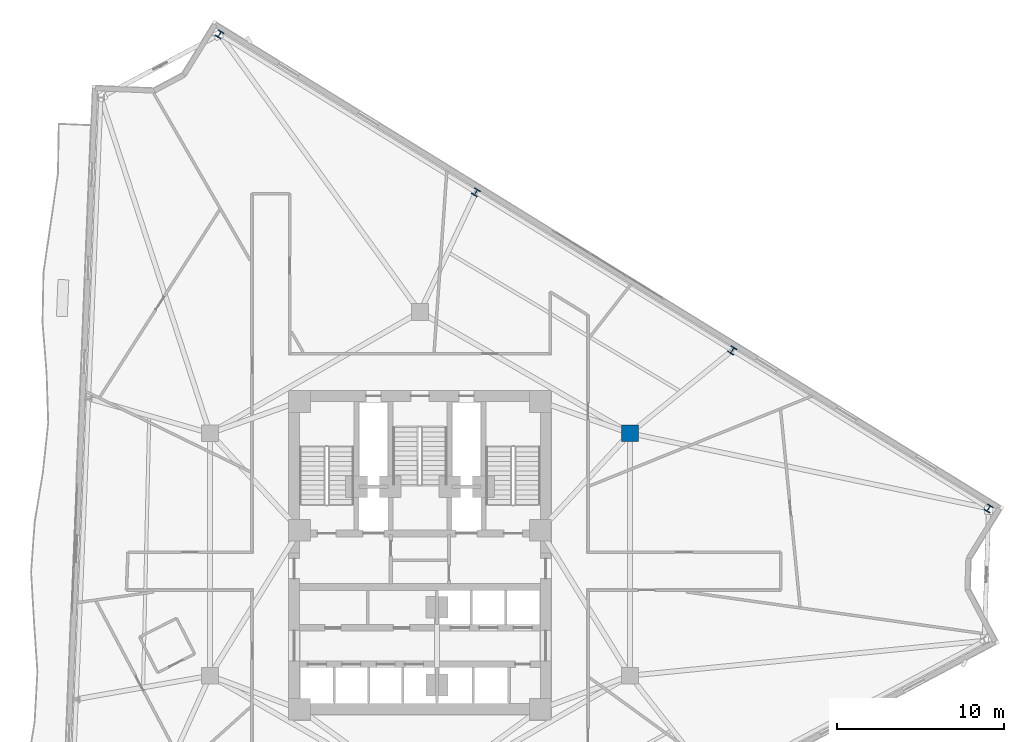
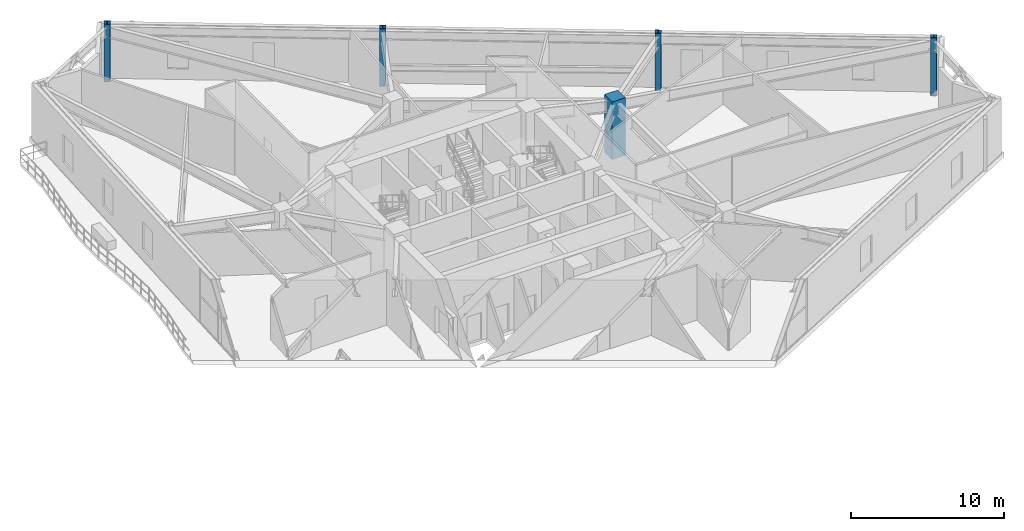
# One storey, part 2 of 22: 5 columns.
"""IFC4 building model written with IfcOpenShell, lengths in metres."""

from ifc_helpers import new_model, si_unit, direction, frame, origin, origin_2d, place, context, subcontext, project, spatial, rectangle, i_section, extrude, material, material_profile, profile_set, type_object, element, save


model = new_model("IFC4")

# Units and contexts
model_context = context("Model", 3, precision=1e-05, world=origin(), true_north=direction((0.0, 1.0)))
body_context = subcontext(model_context, "Body", "Model", "MODEL_VIEW")
ifc_project = project(units=[si_unit("LENGTHUNIT", "METRE"), si_unit("AREAUNIT", "SQUARE_METRE"), si_unit("VOLUMEUNIT", "CUBIC_METRE"), si_unit("PLANEANGLEUNIT", "RADIAN"), si_unit("MASSUNIT", "GRAM", prefix="KILO")], contexts=[model_context])

# Site, building, storey
site_placement = place(None, origin())
site = spatial("IfcSite", under=ifc_project, at=site_placement, CompositionType="ELEMENT")
building_placement = place(site_placement, origin())
building = spatial("IfcBuilding", under=site, at=building_placement, Name="Apsidion Concourse Tower", CompositionType="ELEMENT")
storey_placement = place(building_placement, frame((0.0, 0.0, 160.89990234375)))
storey = spatial("IfcBuildingStorey", under=building, at=storey_placement, Name="L37", CompositionType="ELEMENT", Elevation=160.89990234375)

# Columns
ifc_material_1 = material(Name="Concrete C50/60", Category="concrete")
ifc_material_profile_1 = material_profile(ifc_material_1, rectangle(XDim=1.0, YDim=1.0, at=origin_2d()), Name="RC 1000x1000")
ifc_profile_set_1 = profile_set([ifc_material_profile_1], Name="Concrete C50/60")
column_type_1 = type_object("IfcColumnType", Name="COL-RC-1000", PredefinedType="COLUMN", material=ifc_profile_set_1)
column_placement = place(storey_placement, frame((12.56005859375, 7.25, 0.0), z_axis=(0.0, 0.0, 1.0), x_axis=(1.0, 0.0, 0.0)))
element("IfcColumn", 1, at=column_placement, inside=storey, type_object=column_type_1, Name="L37 Interior Spine Column IC3", PredefinedType="COLUMN", context=body_context, shape_type="SweptSolid", body=[
    extrude(rectangle(XDim=1.0, YDim=1.0, at=origin_2d()), origin(), (0.0, 0.0, 1.0), 4.60009765625),
])
ifc_material_2 = material(Name="Structural steel ASTM A992 Grade 50", Category="steel")
ifc_material_profile_2 = material_profile(ifc_material_2, i_section(OverallWidth=0.406005859375, OverallDepth=0.4169921875, WebThickness=0.02978515625, FlangeThickness=0.048095703125, at=origin_2d()), Name="W14X257")
ifc_profile_set_2 = profile_set([ifc_material_profile_2], Name="Structural steel ASTM A992 Grade 50")
column_type_2 = type_object("IfcColumnType", Name="COL-W14-257", PredefinedType="COLUMN", material=ifc_profile_set_2)
for number, where, z_axis, x_axis, name in (
    (2, (34.010986328125, 2.751708984375, 0.0), (0.0, 0.0, 1.0), (-0.851269345923, 0.524728978323, 0.0), "L37 Rotated Perimeter Column PC09"),
    (3, (18.6787109375, 12.203369140625, 0.0), (0.0, 0.0, 1.0), (-0.851269345923, 0.524728978323, 0.0), "L37 Rotated Perimeter Column PC10"),
    (4, (3.346435546875, 21.655029296875, 0.0), (0.0, 0.0, 1.0), (-0.851269345923, 0.524728978323, 0.0), "L37 Rotated Perimeter Column PC11"),
    (5, (-11.98583984375, 31.106689453125, 0.0), (0.0, 0.0, 1.0), (-0.851269345923, 0.524728978323, 0.0), "L37 Rotated Perimeter Column PC12"),
):
    element("IfcColumn", number, at=place(storey_placement, frame(where, z_axis=z_axis, x_axis=x_axis)), inside=storey, type_object=column_type_2, Name=name, PredefinedType="COLUMN", context=body_context, shape_type="SweptSolid", body=[
        extrude(i_section(OverallWidth=0.406005859375, OverallDepth=0.4169921875, WebThickness=0.02978515625, FlangeThickness=0.048095703125, at=origin_2d()), origin(), (0.0, 0.0, 1.0), 4.60009765625),
    ])

save(model, "model.ifc")
